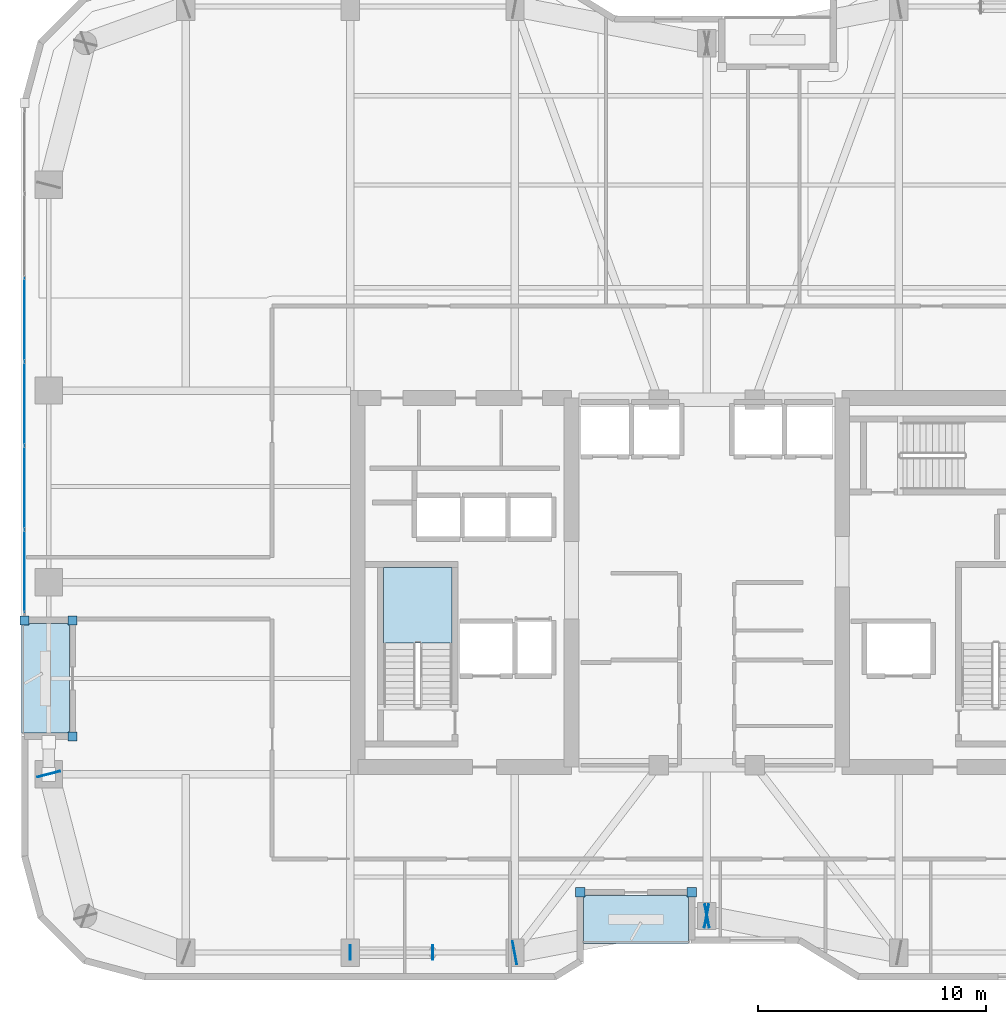
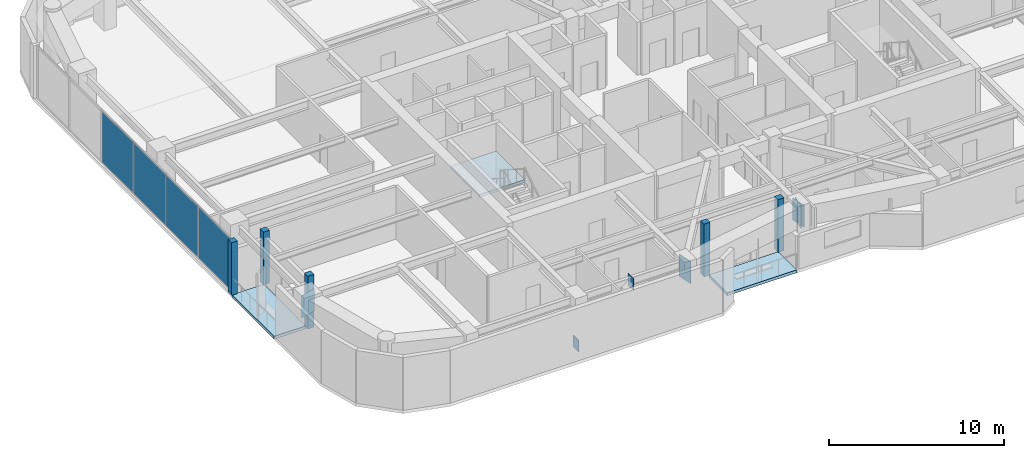
# One storey, part 21 of 30: 15 plates, 3 slabs, 2 elements without a shape of their own.
"""IFC4 building model written with IfcOpenShell, lengths in metres."""

from ifc_helpers import new_model, si_unit, direction, frame, origin, origin_2d, place, context, subcontext, project, spatial, polyline, rectangle, outline, extrude, material, layer, layer_set, type_object, element, aggregate, save


model = new_model("IFC4")

# Units and contexts
model_context = context("Model", 3, precision=1e-05, world=origin(), true_north=direction((0.0, 1.0)))
body_context = subcontext(model_context, "Body", "Model", "MODEL_VIEW")
ifc_project = project(units=[si_unit("LENGTHUNIT", "METRE"), si_unit("AREAUNIT", "SQUARE_METRE"), si_unit("VOLUMEUNIT", "CUBIC_METRE"), si_unit("PLANEANGLEUNIT", "RADIAN"), si_unit("MASSUNIT", "GRAM", prefix="KILO")], contexts=[model_context])

# Site, building, storey
site_placement = place(None, origin())
site = spatial("IfcSite", under=ifc_project, at=site_placement, CompositionType="ELEMENT")
building_placement = place(site_placement, origin())
building = spatial("IfcBuilding", under=site, at=building_placement, Name="Kiyonajd Concourse Tower", CompositionType="ELEMENT")
storey_placement = place(building_placement, frame((0.0, 0.0, 201.89990234375)))
storey = spatial("IfcBuildingStorey", under=building, at=storey_placement, Name="L51", CompositionType="ELEMENT", Elevation=201.89990234375)

# Plates
ifc_material_1 = material(Name="Steel ASTM A572 Grade 50", Category="steel")
ifc_layer_1 = layer(ifc_material_1, 0.028076171875)
ifc_layer_set_1 = layer_set([ifc_layer_1], Name="Steel ASTM A572 Grade 50")
plate_type_1 = type_object("IfcPlateType", Name="PL-CAP-450", PredefinedType="USERDEFINED", material=ifc_layer_set_1)
for number, where, z_axis, x_axis, name in (
    (1, (32.3916015625, 19.800048828125, -0.10888671875), (0.0, 0.0, 1.0), (-1.0, 0.0, 0.0), "L51 Hollow Brace End Cap Plate PBS"),
    (2, (36.00830078125, 19.800048828125, 2.93505859375), (0.0, 0.0, 1.0), (1.0, 0.0, 0.0), "L51 Hollow Brace Top Cap Plate PBS"),
):
    element("IfcPlate", number, at=place(storey_placement, frame(where, z_axis=z_axis, x_axis=x_axis)), inside=storey, type_object=plate_type_1, Name=name, ObjectType="CAP PLATE", PredefinedType="USERDEFINED", context=body_context, shape_type="SweptSolid", body=[
        extrude(rectangle(XDim=0.035888671875, YDim=0.6279296875, at=origin_2d()), origin(), (0.0, 0.0, 1.0), 0.803955078125),
    ])
ifc_layer_2 = layer(ifc_material_1, 0.031982421875)
ifc_layer_set_2 = layer_set([ifc_layer_2], Name="Steel ASTM A572 Grade 50")
plate_type_2 = type_object("IfcPlateType", Name="PL-CAP-540", PredefinedType="USERDEFINED", material=ifc_layer_set_2)
for number, where, z_axis, x_axis, name in (
    (3, (19.197265625, 27.610595703125, 2.2099609375), (0.0, 0.0, 1.0), (-0.249873048837, 0.968278606324, 0.0), "L51 Welded Box Girder End Cap"),
    (4, (39.589111328125, 19.7978515625, 2.2099609375), (0.0, 0.0, 1.0), (-0.982352599301, -0.187038420242, 0.0), "L51 Welded Box Girder End Cap"),
    (5, (48.0107421875, 21.402099609375, 2.2099609375), (0.0, 0.0, 1.0), (0.982352599301, 0.187038420242, 0.0), "L51 Welded Box Girder End Cap"),
    (6, (47.9892578125, 21.402099609375, 2.2099609375), (0.0, 0.0, 1.0), (-0.982352599301, 0.187038420242, 0.0), "L51 Welded Box Girder End Cap"),
):
    element("IfcPlate", number, at=place(storey_placement, frame(where, z_axis=z_axis, x_axis=x_axis)), inside=storey, type_object=plate_type_2, Name=name, ObjectType="CAP PLATE", PredefinedType="USERDEFINED", context=body_context, shape_type="SweptSolid", body=[
        extrude(rectangle(XDim=0.035888671875, YDim=1.02001953125, at=origin_2d()), origin(), (0.0, 0.0, 1.0), 1.5400390625),
    ])

# Curtain wall, plates
ifc_material_2 = material(Name="Thermally Broken Anodised Aluminium", Category="aluminium")
ifc_layer_3 = layer(ifc_material_2, 0.179931640625)
ifc_layer_set_3 = layer_set([ifc_layer_3], Name="Thermally Broken Anodised Aluminium")
curtain_wall_type = type_object("IfcCurtainWallType", Name="CW-SYS-03", PredefinedType="NOTDEFINED", material=ifc_layer_set_3)
curtain_wall_placement = place(storey_placement, origin())
curtain_wall = element("IfcCurtainWall", 7, at=curtain_wall_placement, inside=storey, type_object=curtain_wall_type, Name="L51 Unitised Curtain Wall CW3", PredefinedType="NOTDEFINED")
ifc_material_3 = material(Name="Double Low-E Insulated Glass", Category="glass")
ifc_layer_4 = layer(ifc_material_3, 0.033935546875)
ifc_layer_set_4 = layer_set([ifc_layer_4], Name="Double Low-E Insulated Glass")
plate_type_3 = type_object("IfcPlateType", Name="PL-CW-VIS34", PredefinedType="CURTAIN_PANEL", material=ifc_layer_set_4)
plate_1_placement = place(storey_placement, frame((18.139892578125, 36.484619140625, 0.06494140625), z_axis=(0.0, 0.0, 1.0), x_axis=(0.0, 1.0, 0.0)))
plate_1 = element("IfcPlate", 8, at=plate_1_placement, type_object=plate_type_3, Name="CW3 panel 1.1", PredefinedType="CURTAIN_PANEL", context=body_context, shape_type="SweptSolid", body=[
    extrude(rectangle(XDim=3.579345703125, YDim=0.033935546875, at=origin_2d()), origin(), (0.0, 0.0, 1.0), 3.550048828125),
])
plate_2_placement = place(storey_placement, frame((18.139892578125, 40.1455078125, 0.06494140625), z_axis=(0.0, 0.0, 1.0), x_axis=(0.0, 1.0, 0.0)))
plate_2 = element("IfcPlate", 9, at=plate_2_placement, type_object=plate_type_3, Name="CW3 panel 2.1", PredefinedType="CURTAIN_PANEL", context=body_context, shape_type="SweptSolid", body=[
    extrude(rectangle(XDim=3.61181640625, YDim=0.033935546875, at=origin_2d()), origin(), (0.0, 0.0, 1.0), 3.550048828125),
])
plate_3_placement = place(storey_placement, frame((18.139892578125, 43.822265625, 0.06494140625), z_axis=(0.0, 0.0, 1.0), x_axis=(0.0, 1.0, 0.0)))
plate_3 = element("IfcPlate", 10, at=plate_3_placement, type_object=plate_type_3, Name="CW3 panel 3.1", PredefinedType="CURTAIN_PANEL", context=body_context, shape_type="SweptSolid", body=[
    extrude(rectangle(XDim=3.61181640625, YDim=0.033935546875, at=origin_2d()), origin(), (0.0, 0.0, 1.0), 3.550048828125),
])
plate_4_placement = place(storey_placement, frame((18.139892578125, 47.499267578125, 0.06494140625), z_axis=(0.0, 0.0, 1.0), x_axis=(0.0, 1.0, 0.0)))
plate_4 = element("IfcPlate", 11, at=plate_4_placement, type_object=plate_type_3, Name="CW3 panel 4.1", PredefinedType="CURTAIN_PANEL", context=body_context, shape_type="SweptSolid", body=[
    extrude(rectangle(XDim=3.61181640625, YDim=0.033935546875, at=origin_2d()), origin(), (0.0, 0.0, 1.0), 3.550048828125),
])
aggregate(curtain_wall, [plate_1, plate_2, plate_3, plate_4])

# Plates
ifc_layer_5 = layer(ifc_material_2, 0.39990234375)
ifc_layer_set_5 = layer_set([ifc_layer_5], Name="Thermally Broken Anodised Aluminium")
plate_type_4 = type_object("IfcPlateType", Name="PL-JMB-400", PredefinedType="USERDEFINED", material=ifc_layer_set_5)
for number, where, z_axis, x_axis, name in (
    (12, (20.239990234375, 29.260009765625, 0.0), (0.0, 0.0, 1.0), (1.0, 0.0, 0.0), "L51 Facade Jamb Closure Plate 01"),
    (13, (20.239990234375, 34.340087890625, 0.0), (0.0, 0.0, 1.0), (1.0, 0.0, 0.0), "L51 Facade Jamb Closure Plate 02"),
    (14, (18.139892578125, 34.340087890625, 0.0), (0.0, 0.0, 1.0), (1.0, 0.0, 0.0), "L51 Facade Jamb Closure Plate 03"),
    (15, (47.340087890625, 22.43994140625, 0.0), (0.0, 0.0, 1.0), (1.0, 0.0, 0.0), "L51 Facade Jamb Closure Plate 13"),
    (16, (42.4599609375, 22.43994140625, 0.0), (0.0, 0.0, 1.0), (1.0, 0.0, 0.0), "L51 Facade Jamb Closure Plate 14"),
):
    element("IfcPlate", number, at=place(storey_placement, frame(where, z_axis=z_axis, x_axis=x_axis)), inside=storey, type_object=plate_type_4, Name=name, ObjectType="JAMB PLATE", PredefinedType="USERDEFINED", context=body_context, shape_type="SweptSolid", body=[
        extrude(rectangle(XDim=0.39990234375, YDim=0.39990234375, at=origin_2d()), origin(), (0.0, 0.0, 1.0), 3.679931640625),
    ])

# Stair, slab
ifc_material_4 = material(Name="Concrete C40/50", Category="concrete")
stair_type = type_object("IfcStairType", Name="ST-DLG-22R", PredefinedType="HALF_TURN_STAIR", material=ifc_material_4)
stair_placement = place(storey_placement, origin())
stair = element("IfcStair", 17, at=stair_placement, inside=storey, type_object=stair_type, Name="L51 Protected Exit Stair ST1", PredefinedType="HALF_TURN_STAIR")
ifc_layer_6 = layer(ifc_material_4, 0.199951171875)
ifc_layer_set_6 = layer_set([ifc_layer_6], Name="Concrete C40/50")
slab_type_1 = type_object("IfcSlabType", Name="SL-LND-200", PredefinedType="LANDING", material=ifc_layer_set_6)
slab_1_placement = place(storey_placement, frame((0.0, 0.0, 1.75)))
slab_1 = element("IfcSlab", 18, at=slab_1_placement, type_object=slab_type_1, Name="ST1 landing 1", PredefinedType="LANDING", context=body_context, shape_type="SweptSolid", body=[
    extrude(outline(polyline([(36.85009765625, 33.35009765625), (36.85009765625, 36.64990234375), (33.85009765625, 36.64990234375), (33.85009765625, 33.35009765625), (36.85009765625, 33.35009765625)])), origin(), (0.0, 0.0, 1.0), 0.2001953125),
])
aggregate(stair, [slab_1])

# Slabs
ifc_material_5 = material(Name="Precast concrete C50/60", Category="concrete")
ifc_layer_7 = layer(ifc_material_5, 0.199951171875)
ifc_layer_set_7 = layer_set([ifc_layer_7], Name="Precast concrete C50/60")
slab_type_2 = type_object("IfcSlabType", Name="SL-LOG-200", PredefinedType="FLOOR", material=ifc_layer_set_7)
slab_2_placement = place(storey_placement, frame((0.0, 0.0, -0.199951171875)))
element("IfcSlab", 19, at=slab_2_placement, inside=storey, type_object=slab_type_2, Name="L51 Recessed Engawa Loggia Terrace Slab LOG-S", PredefinedType="FLOOR", context=body_context, shape_type="SweptSolid", body=[
    extrude(outline(polyline([(42.60009765625, 20.199951171875), (47.199951171875, 20.199951171875), (47.199951171875, 22.300048828125), (42.60009765625, 22.300048828125), (42.60009765625, 20.199951171875)])), origin(), (0.0, 0.0, 1.0), 0.199951171875),
])
slab_3_placement = place(storey_placement, frame((0.0, 0.0, -0.199951171875)))
element("IfcSlab", 20, at=slab_3_placement, inside=storey, type_object=slab_type_2, Name="L51 Recessed Engawa Loggia Terrace Slab LOG-W", PredefinedType="FLOOR", context=body_context, shape_type="SweptSolid", body=[
    extrude(outline(polyline([(18.0, 29.39990234375), (20.10009765625, 29.39990234375), (20.10009765625, 34.199951171875), (18.0, 34.199951171875), (18.0, 29.39990234375)])), origin(), (0.0, 0.0, 1.0), 0.199951171875),
])

save(model, "model.ifc")
